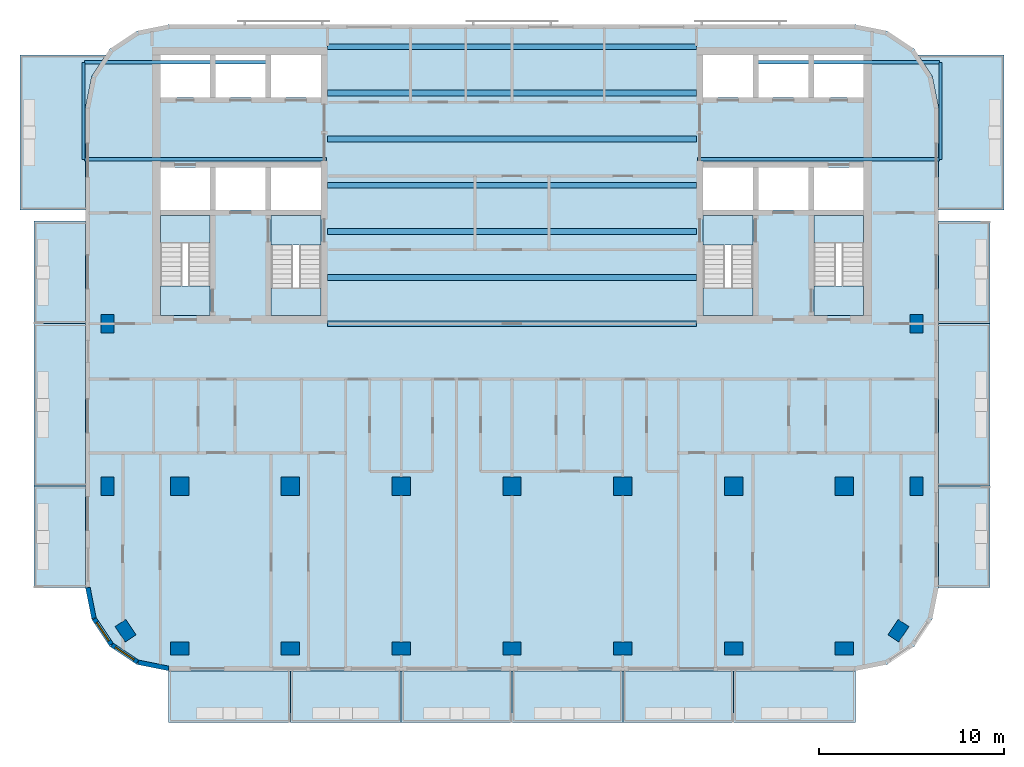
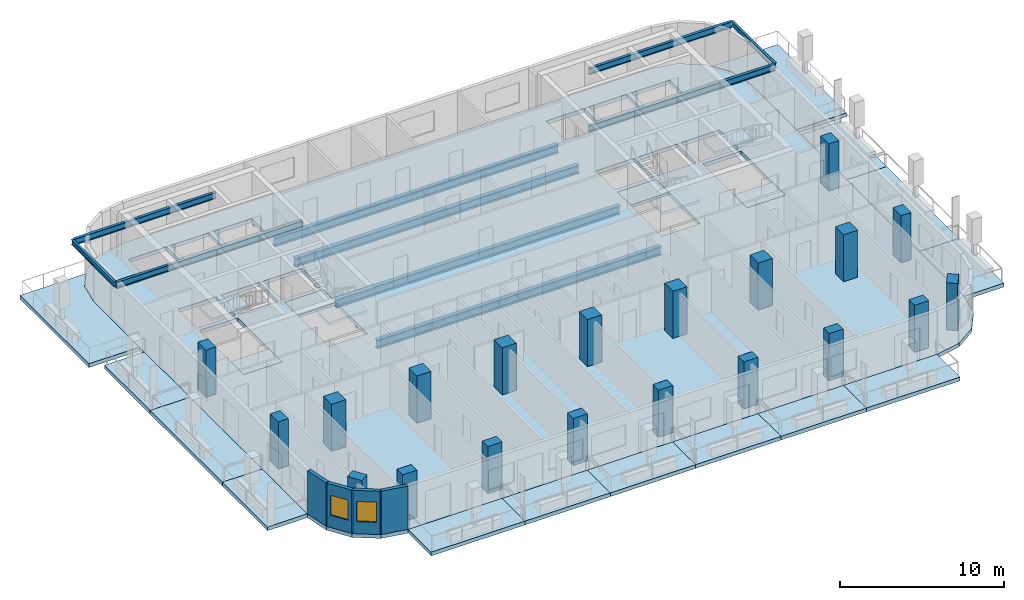
# One storey, part 1 of 11: 23 slabs, 20 columns, 13 beams, 4 walls, 2 windows, 2 openings, 4 elements without a shape of their own.
"""IFC4 building model written with IfcOpenShell, lengths in metres."""

from ifc_helpers import new_model, si_unit, direction, frame, frame_2d, origin, origin_2d, place, context, subcontext, project, spatial, polyline, rectangle, i_section, outline, extrude, material, layer, layer_set, material_profile, profile_set, type_object, element, fill, aggregate, save


model = new_model("IFC4")

# Units and contexts
model_context = context("Model", 3, precision=1e-05, world=origin(), true_north=direction((0.0, 1.0)))
body_context = subcontext(model_context, "Body", "Model", "MODEL_VIEW")
ifc_project = project(units=[si_unit("LENGTHUNIT", "METRE"), si_unit("AREAUNIT", "SQUARE_METRE"), si_unit("VOLUMEUNIT", "CUBIC_METRE"), si_unit("PLANEANGLEUNIT", "RADIAN"), si_unit("MASSUNIT", "GRAM", prefix="KILO")], contexts=[model_context])

# Site, building, storey
site_placement = place(None, origin())
site = spatial("IfcSite", under=ifc_project, at=site_placement, CompositionType="ELEMENT")
building_placement = place(site_placement, origin())
building = spatial("IfcBuilding", under=site, at=building_placement, Name="Torana Hotel and Residences", CompositionType="ELEMENT")
storey_placement = place(building_placement, frame((0.0, 0.0, 263.10009765625)))
storey = spatial("IfcBuildingStorey", under=building, at=storey_placement, Name="L69", CompositionType="ELEMENT", Elevation=263.10009765625)

# Columns
ifc_material_1 = material(Name="Concrete C50/60", Category="concrete")
ifc_material_profile_1 = material_profile(ifc_material_1, rectangle(XDim=1.0, YDim=1.0, at=origin_2d()), Name="RC 1000x1000")
ifc_profile_set_1 = profile_set([ifc_material_profile_1], Name="Concrete C50/60")
column_type_1 = type_object("IfcColumnType", Name="COLUMN RC 1000x1000 C50/60", PredefinedType="COLUMN", material=ifc_profile_set_1)
for number, where, z_axis, x_axis, name in (
    (1, (-18.0, -23.800048828125, 0.0), (0.0, 0.0, 1.0), (1.0, 0.0, 0.0), "Column L69"),
    (2, (-12.0, -23.800048828125, 0.0), (0.0, 0.0, 1.0), (1.0, 0.0, 0.0), "Column L69"),
    (3, (-6.0, -23.800048828125, 0.0), (0.0, 0.0, 1.0), (1.0, 0.0, 0.0), "Column L69"),
    (4, (0.0, -23.800048828125, 0.0), (0.0, 0.0, 1.0), (1.0, 0.0, 0.0), "Column L69"),
    (5, (6.0, -23.800048828125, 0.0), (0.0, 0.0, 1.0), (1.0, 0.0, 0.0), "Column L69"),
    (6, (12.0, -23.800048828125, 0.0), (0.0, 0.0, 1.0), (1.0, 0.0, 0.0), "Column L69"),
    (7, (18.0, -23.800048828125, 0.0), (0.0, 0.0, 1.0), (1.0, 0.0, 0.0), "Column L69"),
):
    element("IfcColumn", number, at=place(storey_placement, frame(where, z_axis=z_axis, x_axis=x_axis)), inside=storey, type_object=column_type_1, Name=name, PredefinedType="COLUMN", context=body_context, shape_type="SweptSolid", body=[
        extrude(rectangle(XDim=1.0, YDim=1.0, at=origin_2d()), origin(), (0.0, 0.0, 1.0), 3.5),
    ])
ifc_material_2 = material(Name="Concrete C50/60", Category="concrete")
ifc_material_profile_2 = material_profile(ifc_material_2, rectangle(XDim=1.0, YDim=0.699951171875, at=origin_2d()), Name="RC 1000x700")
ifc_profile_set_2 = profile_set([ifc_material_profile_2], Name="Concrete C50/60")
column_type_2 = type_object("IfcColumnType", Name="COLUMN RC 1000x700 C50/60", PredefinedType="COLUMN", material=ifc_profile_set_2)
for number, where, z_axis, x_axis, name in (
    (8, (-21.89990234375, -23.800048828125, 0.0), (0.0, 0.0, 1.0), (0.0, 1.0, 0.0), "Column L69"),
    (9, (-21.89990234375, -15.0, 0.0), (0.0, 0.0, 1.0), (0.0, 1.0, 0.0), "Column L69"),
    (10, (-20.93310546875, -31.633056640625, 0.0), (0.0, 0.0, 1.0), (-0.555584744817, 0.831459915646, 0.0), "Column L69"),
    (11, (-18.0, -32.60009765625, 0.0), (0.0, 0.0, 1.0), (1.0, 0.0, 0.0), "Column L69"),
    (12, (-12.0, -32.60009765625, 0.0), (0.0, 0.0, 1.0), (1.0, 0.0, 0.0), "Column L69"),
    (13, (-6.0, -32.60009765625, 0.0), (0.0, 0.0, 1.0), (1.0, 0.0, 0.0), "Column L69"),
    (14, (0.0, -32.60009765625, 0.0), (0.0, 0.0, 1.0), (1.0, 0.0, 0.0), "Column L69"),
    (15, (6.0, -32.60009765625, 0.0), (0.0, 0.0, 1.0), (1.0, 0.0, 0.0), "Column L69"),
    (16, (12.0, -32.60009765625, 0.0), (0.0, 0.0, 1.0), (1.0, 0.0, 0.0), "Column L69"),
    (17, (18.0, -32.60009765625, 0.0), (0.0, 0.0, 1.0), (1.0, 0.0, 0.0), "Column L69"),
    (18, (20.93310546875, -31.633056640625, 0.0), (0.0, 0.0, 1.0), (0.555584744817, 0.831459915646, 0.0), "Column L69"),
    (19, (21.89990234375, -23.800048828125, 0.0), (0.0, 0.0, 1.0), (0.0, 1.0, 0.0), "Column L69"),
    (20, (21.89990234375, -15.0, 0.0), (0.0, 0.0, 1.0), (0.0, 1.0, 0.0), "Column L69"),
):
    element("IfcColumn", number, at=place(storey_placement, frame(where, z_axis=z_axis, x_axis=x_axis)), inside=storey, type_object=column_type_2, Name=name, PredefinedType="COLUMN", context=body_context, shape_type="SweptSolid", body=[
        extrude(rectangle(XDim=1.0, YDim=0.699951171875, at=origin_2d()), origin(), (0.0, 0.0, 1.0), 3.5),
    ])

# Beams
ifc_material_3 = material(Name="Steel S355", Category="steel")
ifc_material_profile_3 = material_profile(ifc_material_3, i_section(OverallWidth=0.19287109375, OverallDepth=0.46728515625, WebThickness=0.011474609375, FlangeThickness=0.01953125, FilletRadius=0.01025390625, at=origin_2d()), Name="457x191x98 UB")
ifc_profile_set_3 = profile_set([ifc_material_profile_3], Name="Steel S355")
beam_type_1 = type_object("IfcBeamType", Name="BALCONY CANTILEVER BEAM 457x191x98 UB", PredefinedType="BEAM", material=ifc_profile_set_3)
beam_1_placement = place(storey_placement, frame((-23.1484375, -6.10009765625, 2.986328125), z_axis=(1.0, 0.0, 0.0), x_axis=(0.0, 1.0, 0.0)))
element("IfcBeam", 21, at=beam_1_placement, inside=storey, type_object=beam_type_1, Name="Balcony cantilever beam", PredefinedType="BEAM", context=body_context, shape_type="SweptSolid", body=[
    extrude(i_section(OverallWidth=0.19287109375, OverallDepth=0.46728515625, WebThickness=0.011474609375, FlangeThickness=0.01953125, FilletRadius=0.01025390625, at=origin_2d()), origin(), (0.0, 0.0, 1.0), 13.098388671875),
])
beam_2_placement = place(storey_placement, frame((-23.1484375, -0.85009765625, 2.986328125), z_axis=(1.0, 0.0, 0.0), x_axis=(0.0, 1.0, 0.0)))
element("IfcBeam", 22, at=beam_2_placement, inside=storey, type_object=beam_type_1, Name="Balcony cantilever beam", PredefinedType="BEAM", context=body_context, shape_type="SweptSolid", body=[
    extrude(i_section(OverallWidth=0.19287109375, OverallDepth=0.46728515625, WebThickness=0.011474609375, FlangeThickness=0.01953125, FilletRadius=0.01025390625, at=origin_2d()), origin(), (0.0, 0.0, 1.0), 10.04833984375),
])
beam_3_placement = place(storey_placement, frame((23.1484375, -6.10009765625, 2.986328125), z_axis=(-1.0, 0.0, 0.0), x_axis=(0.0, -1.0, 0.0)))
element("IfcBeam", 23, at=beam_3_placement, inside=storey, type_object=beam_type_1, Name="Balcony cantilever beam", PredefinedType="BEAM", context=body_context, shape_type="SweptSolid", body=[
    extrude(i_section(OverallWidth=0.19287109375, OverallDepth=0.46728515625, WebThickness=0.011474609375, FlangeThickness=0.01953125, FilletRadius=0.01025390625, at=origin_2d()), origin(), (0.0, 0.0, 1.0), 13.098388671875),
])
beam_4_placement = place(storey_placement, frame((23.1484375, -0.85009765625, 2.986328125), z_axis=(-1.0, 0.0, 0.0), x_axis=(0.0, -1.0, 0.0)))
element("IfcBeam", 24, at=beam_4_placement, inside=storey, type_object=beam_type_1, Name="Balcony cantilever beam", PredefinedType="BEAM", context=body_context, shape_type="SweptSolid", body=[
    extrude(i_section(OverallWidth=0.19287109375, OverallDepth=0.46728515625, WebThickness=0.011474609375, FlangeThickness=0.01953125, FilletRadius=0.01025390625, at=origin_2d()), origin(), (0.0, 0.0, 1.0), 10.04833984375),
])
ifc_material_4 = material(Name="Steel S355", Category="steel")
ifc_material_profile_4 = material_profile(ifc_material_4, i_section(OverallWidth=0.173095703125, OverallDepth=0.36328125, WebThickness=0.009033203125, FlangeThickness=0.015625, FilletRadius=0.01025390625, at=origin_2d()), Name="356x171x67 UB")
ifc_profile_set_4 = profile_set([ifc_material_profile_4], Name="Steel S355")
beam_type_2 = type_object("IfcBeamType", Name="BALCONY TIP BEAM 356x171x67 UB", PredefinedType="BEAM", material=ifc_profile_set_4)
for number, where, z_axis, x_axis, name in (
    (25, (-23.205078125, -6.10009765625, 3.0380859375), (0.0, 1.0, 0.0), (-1.0, 0.0, 0.0), "Balcony tip beam"),
    (26, (23.205078125, -6.10009765625, 3.0380859375), (0.0, 1.0, 0.0), (-1.0, 0.0, 0.0), "Balcony tip beam"),
):
    element("IfcBeam", number, at=place(storey_placement, frame(where, z_axis=z_axis, x_axis=x_axis)), inside=storey, type_object=beam_type_2, Name=name, PredefinedType="BEAM", context=body_context, shape_type="SweptSolid", body=[
        extrude(i_section(OverallWidth=0.173095703125, OverallDepth=0.36328125, WebThickness=0.009033203125, FlangeThickness=0.015625, FilletRadius=0.01025390625, at=origin_2d()), origin(), (0.0, 0.0, 1.0), 5.25),
    ])
ifc_material_5 = material(Name="Steel S355", Category="steel")
ifc_material_profile_5 = material_profile(ifc_material_5, i_section(OverallWidth=0.311279296875, OverallDepth=0.6357421875, WebThickness=0.018310546875, FlangeThickness=0.031494140625, FilletRadius=0.0166015625, at=origin_2d()), Name="610x305x238 UB")
ifc_profile_set_5 = profile_set([ifc_material_profile_5], Name="Steel S355")
beam_type_3 = type_object("IfcBeamType", Name="STEEL GIRDER 610x305x238 UB", PredefinedType="BEAM", material=ifc_profile_set_5)
for number, where, z_axis, x_axis, name in (
    (27, (-10.0, -15.0, -0.597900390625), (1.0, 0.0, 0.0), (0.0, 1.0, 0.0), "Floor girder"),
    (28, (-10.0, -12.5, -0.597900390625), (1.0, 0.0, 0.0), (0.0, 1.0, 0.0), "Floor girder"),
    (29, (-10.0, -10.0, -0.597900390625), (1.0, 0.0, 0.0), (0.0, 1.0, 0.0), "Floor girder"),
    (30, (-10.0, -7.5, -0.597900390625), (1.0, 0.0, 0.0), (0.0, 1.0, 0.0), "Floor girder"),
    (31, (-10.0, -5.0, -0.597900390625), (1.0, 0.0, 0.0), (0.0, 1.0, 0.0), "Floor girder"),
    (32, (-10.0, -2.5, -0.597900390625), (1.0, 0.0, 0.0), (0.0, 1.0, 0.0), "Floor girder"),
    (33, (-10.0, 0.0, -0.597900390625), (1.0, 0.0, 0.0), (0.0, 1.0, 0.0), "Floor girder"),
):
    element("IfcBeam", number, at=place(storey_placement, frame(where, z_axis=z_axis, x_axis=x_axis)), inside=storey, type_object=beam_type_3, Name=name, PredefinedType="BEAM", context=body_context, shape_type="SweptSolid", body=[
        extrude(i_section(OverallWidth=0.311279296875, OverallDepth=0.6357421875, WebThickness=0.018310546875, FlangeThickness=0.031494140625, FilletRadius=0.0166015625, at=origin_2d()), origin(), (0.0, 0.0, 1.0), 20.0),
    ])

# Slabs
ifc_material_6 = material(Name="Concrete C40/50", Category="concrete")
ifc_layer_1 = layer(ifc_material_6, 0.280029296875)
ifc_layer_set_1 = layer_set([ifc_layer_1], Name="BAL1 BALCONY SLAB 280")
slab_type_1 = type_object("IfcSlabType", Name="BAL1 BALCONY SLAB 280", PredefinedType="USERDEFINED", material=ifc_layer_set_1)
slab_1_placement = place(storey_placement, frame((0.0, 0.0, -0.280029296875)))
element("IfcSlab", 34, at=slab_1_placement, inside=storey, type_object=slab_type_1, Name="Balcony 01", ObjectType="BALCONY", PredefinedType="USERDEFINED", context=body_context, shape_type="SweptSolid", body=[
    extrude(outline(polyline([(-18.60009765625, -36.60009765625), (-12.0, -36.60009765625), (-12.0, -33.800048828125), (-18.60009765625, -33.800048828125), (-18.60009765625, -36.60009765625)])), origin(), (0.0, 0.0, 1.0), 0.280029296875),
])
slab_2_placement = place(storey_placement, frame((0.0, 0.0, -0.280029296875)))
element("IfcSlab", 35, at=slab_2_placement, inside=storey, type_object=slab_type_1, Name="Balcony 02", ObjectType="BALCONY", PredefinedType="USERDEFINED", context=body_context, shape_type="SweptSolid", body=[
    extrude(outline(polyline([(-12.0, -36.60009765625), (-6.0, -36.60009765625), (-6.0, -33.800048828125), (-12.0, -33.800048828125), (-12.0, -36.60009765625)])), origin(), (0.0, 0.0, 1.0), 0.280029296875),
])
slab_3_placement = place(storey_placement, frame((0.0, 0.0, -0.280029296875)))
element("IfcSlab", 36, at=slab_3_placement, inside=storey, type_object=slab_type_1, Name="Balcony 03", ObjectType="BALCONY", PredefinedType="USERDEFINED", context=body_context, shape_type="SweptSolid", body=[
    extrude(outline(polyline([(-6.0, -36.60009765625), (0.0, -36.60009765625), (0.0, -33.800048828125), (-6.0, -33.800048828125), (-6.0, -36.60009765625)])), origin(), (0.0, 0.0, 1.0), 0.280029296875),
])
slab_4_placement = place(storey_placement, frame((0.0, 0.0, -0.280029296875)))
element("IfcSlab", 37, at=slab_4_placement, inside=storey, type_object=slab_type_1, Name="Balcony 04", ObjectType="BALCONY", PredefinedType="USERDEFINED", context=body_context, shape_type="SweptSolid", body=[
    extrude(outline(polyline([(0.0, -36.60009765625), (6.0, -36.60009765625), (6.0, -33.800048828125), (0.0, -33.800048828125), (0.0, -36.60009765625)])), origin(), (0.0, 0.0, 1.0), 0.280029296875),
])
slab_5_placement = place(storey_placement, frame((0.0, 0.0, -0.280029296875)))
element("IfcSlab", 38, at=slab_5_placement, inside=storey, type_object=slab_type_1, Name="Balcony 05", ObjectType="BALCONY", PredefinedType="USERDEFINED", context=body_context, shape_type="SweptSolid", body=[
    extrude(outline(polyline([(6.0, -36.60009765625), (12.0, -36.60009765625), (12.0, -33.800048828125), (6.0, -33.800048828125), (6.0, -36.60009765625)])), origin(), (0.0, 0.0, 1.0), 0.280029296875),
])
slab_6_placement = place(storey_placement, frame((0.0, 0.0, -0.280029296875)))
element("IfcSlab", 39, at=slab_6_placement, inside=storey, type_object=slab_type_1, Name="Balcony 06", ObjectType="BALCONY", PredefinedType="USERDEFINED", context=body_context, shape_type="SweptSolid", body=[
    extrude(outline(polyline([(12.0, -36.60009765625), (18.60009765625, -36.60009765625), (18.60009765625, -33.800048828125), (12.0, -33.800048828125), (12.0, -36.60009765625)])), origin(), (0.0, 0.0, 1.0), 0.280029296875),
])
slab_7_placement = place(storey_placement, frame((0.0, 0.0, -0.280029296875)))
element("IfcSlab", 40, at=slab_7_placement, inside=storey, type_object=slab_type_1, Name="Balcony 07", ObjectType="BALCONY", PredefinedType="USERDEFINED", context=body_context, shape_type="SweptSolid", body=[
    extrude(outline(polyline([(-25.89990234375, -29.300048828125), (-23.10009765625, -29.300048828125), (-23.10009765625, -23.800048828125), (-25.89990234375, -23.800048828125), (-25.89990234375, -29.300048828125)])), origin(), (0.0, 0.0, 1.0), 0.280029296875),
])
slab_8_placement = place(storey_placement, frame((0.0, 0.0, -0.280029296875)))
element("IfcSlab", 41, at=slab_8_placement, inside=storey, type_object=slab_type_1, Name="Balcony 08", ObjectType="BALCONY", PredefinedType="USERDEFINED", context=body_context, shape_type="SweptSolid", body=[
    extrude(outline(polyline([(-25.89990234375, -23.800048828125), (-23.10009765625, -23.800048828125), (-23.10009765625, -15.0), (-25.89990234375, -15.0), (-25.89990234375, -23.800048828125)])), origin(), (0.0, 0.0, 1.0), 0.280029296875),
])
slab_9_placement = place(storey_placement, frame((0.0, 0.0, -0.280029296875)))
element("IfcSlab", 42, at=slab_9_placement, inside=storey, type_object=slab_type_1, Name="Balcony 09", ObjectType="BALCONY", PredefinedType="USERDEFINED", context=body_context, shape_type="SweptSolid", body=[
    extrude(outline(polyline([(-25.89990234375, -15.0), (-23.10009765625, -15.0), (-23.10009765625, -9.449951171875), (-25.89990234375, -9.449951171875), (-25.89990234375, -15.0)])), origin(), (0.0, 0.0, 1.0), 0.280029296875),
])
slab_10_placement = place(storey_placement, frame((0.0, 0.0, -0.280029296875)))
element("IfcSlab", 43, at=slab_10_placement, inside=storey, type_object=slab_type_1, Name="Balcony 10", ObjectType="BALCONY", PredefinedType="USERDEFINED", context=body_context, shape_type="SweptSolid", body=[
    extrude(outline(polyline([(-26.64990234375, -8.85009765625), (-23.10009765625, -8.85009765625), (-23.10009765625, -3.300048828125), (-22.757568359375, -1.577880859375), (-22.00390625, -0.449951171875), (-26.64990234375, -0.449951171875), (-26.64990234375, -8.85009765625)])), origin(), (0.0, 0.0, 1.0), 0.280029296875),
])
slab_11_placement = place(storey_placement, frame((0.0, 0.0, -0.280029296875)))
element("IfcSlab", 44, at=slab_11_placement, inside=storey, type_object=slab_type_1, Name="Balcony 11", ObjectType="BALCONY", PredefinedType="USERDEFINED", context=body_context, shape_type="SweptSolid", body=[
    extrude(outline(polyline([(23.10009765625, -29.300048828125), (25.89990234375, -29.300048828125), (25.89990234375, -23.800048828125), (23.10009765625, -23.800048828125), (23.10009765625, -29.300048828125)])), origin(), (0.0, 0.0, 1.0), 0.280029296875),
])
slab_12_placement = place(storey_placement, frame((0.0, 0.0, -0.280029296875)))
element("IfcSlab", 45, at=slab_12_placement, inside=storey, type_object=slab_type_1, Name="Balcony 12", ObjectType="BALCONY", PredefinedType="USERDEFINED", context=body_context, shape_type="SweptSolid", body=[
    extrude(outline(polyline([(23.10009765625, -23.800048828125), (25.89990234375, -23.800048828125), (25.89990234375, -15.0), (23.10009765625, -15.0), (23.10009765625, -23.800048828125)])), origin(), (0.0, 0.0, 1.0), 0.280029296875),
])
slab_13_placement = place(storey_placement, frame((0.0, 0.0, -0.280029296875)))
element("IfcSlab", 46, at=slab_13_placement, inside=storey, type_object=slab_type_1, Name="Balcony 13", ObjectType="BALCONY", PredefinedType="USERDEFINED", context=body_context, shape_type="SweptSolid", body=[
    extrude(outline(polyline([(23.10009765625, -15.0), (25.89990234375, -15.0), (25.89990234375, -9.449951171875), (23.10009765625, -9.449951171875), (23.10009765625, -15.0)])), origin(), (0.0, 0.0, 1.0), 0.280029296875),
])
slab_14_placement = place(storey_placement, frame((0.0, 0.0, -0.280029296875)))
element("IfcSlab", 47, at=slab_14_placement, inside=storey, type_object=slab_type_1, Name="Balcony 14", ObjectType="BALCONY", PredefinedType="USERDEFINED", context=body_context, shape_type="SweptSolid", body=[
    extrude(outline(polyline([(23.10009765625, -8.85009765625), (26.64990234375, -8.85009765625), (26.64990234375, -0.449951171875), (22.00390625, -0.449951171875), (22.757568359375, -1.577880859375), (23.10009765625, -3.300048828125), (23.10009765625, -8.85009765625)])), origin(), (0.0, 0.0, 1.0), 0.280029296875),
])
ifc_material_7 = material(Name="Concrete C40/50", Category="concrete")
ifc_layer_2 = layer(ifc_material_7, 0.280029296875)
ifc_layer_set_2 = layer_set([ifc_layer_2], Name="FLOOR SLAB PT 280")
slab_type_2 = type_object("IfcSlabType", Name="FLOOR SLAB PT 280", PredefinedType="FLOOR", material=ifc_layer_set_2)
slab_15_placement = place(storey_placement, frame((0.0, 0.0, -0.280029296875)))
element("IfcSlab", 48, at=slab_15_placement, inside=storey, type_object=slab_type_2, Name="Floor slab", PredefinedType="FLOOR", context=body_context, shape_type="SweptSolid", body=[
    extrude(outline(polyline([(23.10009765625, -3.300048828125), (22.757568359375, -1.577880859375), (21.781982421875, -0.117919921875), (20.322021484375, 0.857421875), (18.60009765625, 1.199951171875), (-18.60009765625, 1.199951171875), (-20.322021484375, 0.857421875), (-21.781982421875, -0.117919921875), (-22.757568359375, -1.577880859375), (-23.10009765625, -3.300048828125), (-23.10009765625, -29.300048828125), (-22.757568359375, -31.022216796875), (-21.781982421875, -32.48193359375), (-20.322021484375, -33.45751953125), (-18.60009765625, -33.800048828125), (18.60009765625, -33.800048828125), (20.322021484375, -33.45751953125), (21.781982421875, -32.48193359375), (22.757568359375, -31.022216796875), (23.10009765625, -29.300048828125), (23.10009765625, -3.300048828125)]), holes=[polyline([(-13.050048828125, -14.550048828125), (-10.35009765625, -14.550048828125), (-10.35009765625, -9.14990234375), (-13.050048828125, -9.14990234375), (-13.050048828125, -14.550048828125)]), polyline([(-19.050048828125, -14.550048828125), (-16.35009765625, -14.550048828125), (-16.35009765625, -9.14990234375), (-19.050048828125, -9.14990234375), (-19.050048828125, -14.550048828125)]), polyline([(-19.050048828125, -2.75), (-16.35009765625, -2.75), (-16.35009765625, -0.449951171875), (-19.050048828125, -0.449951171875), (-19.050048828125, -2.75)]), polyline([(-13.050048828125, -2.75), (-10.35009765625, -2.75), (-10.35009765625, -0.449951171875), (-13.050048828125, -0.449951171875), (-13.050048828125, -2.75)]), polyline([(-16.050048828125, -2.75), (-13.35009765625, -2.75), (-13.35009765625, -0.449951171875), (-16.050048828125, -0.449951171875), (-16.050048828125, -2.75)]), polyline([(-13.050048828125, -8.85009765625), (-10.35009765625, -8.85009765625), (-10.35009765625, -6.550048828125), (-13.050048828125, -6.550048828125), (-13.050048828125, -8.85009765625)]), polyline([(-16.050048828125, -8.85009765625), (-13.35009765625, -8.85009765625), (-13.35009765625, -6.550048828125), (-16.050048828125, -6.550048828125), (-16.050048828125, -8.85009765625)]), polyline([(-19.050048828125, -8.85009765625), (-16.35009765625, -8.85009765625), (-16.35009765625, -6.550048828125), (-19.050048828125, -6.550048828125), (-19.050048828125, -8.85009765625)]), polyline([(10.35009765625, -14.550048828125), (13.050048828125, -14.550048828125), (13.050048828125, -9.14990234375), (10.35009765625, -9.14990234375), (10.35009765625, -14.550048828125)]), polyline([(16.35009765625, -14.550048828125), (19.050048828125, -14.550048828125), (19.050048828125, -9.14990234375), (16.35009765625, -9.14990234375), (16.35009765625, -14.550048828125)]), polyline([(16.35009765625, -2.75), (19.050048828125, -2.75), (19.050048828125, -0.449951171875), (16.35009765625, -0.449951171875), (16.35009765625, -2.75)]), polyline([(10.35009765625, -2.75), (13.050048828125, -2.75), (13.050048828125, -0.449951171875), (10.35009765625, -0.449951171875), (10.35009765625, -2.75)]), polyline([(13.35009765625, -2.75), (16.050048828125, -2.75), (16.050048828125, -0.449951171875), (13.35009765625, -0.449951171875), (13.35009765625, -2.75)]), polyline([(10.35009765625, -8.85009765625), (13.050048828125, -8.85009765625), (13.050048828125, -6.550048828125), (10.35009765625, -6.550048828125), (10.35009765625, -8.85009765625)]), polyline([(13.35009765625, -8.85009765625), (16.050048828125, -8.85009765625), (16.050048828125, -6.550048828125), (13.35009765625, -6.550048828125), (13.35009765625, -8.85009765625)]), polyline([(16.35009765625, -8.85009765625), (19.050048828125, -8.85009765625), (19.050048828125, -6.550048828125), (16.35009765625, -6.550048828125), (16.35009765625, -8.85009765625)])]), origin(), (0.0, 0.0, 1.0), 0.280029296875),
])

# Stair, slabs
ifc_material_8 = material(Name="Concrete C40/50 precast", Category="concrete")
stair_type_1 = type_object("IfcStairType", Name="STAIR ST1 HALF TURN 1200", PredefinedType="HALF_TURN_STAIR", material=ifc_material_8)
stair_1_placement = place(storey_placement, origin())
stair_1 = element("IfcStair", 49, at=stair_1_placement, inside=storey, type_object=stair_type_1, Name="Stair ST1 L69", PredefinedType="HALF_TURN_STAIR")
ifc_material_9 = material(Name="Concrete C40/50 precast", Category="concrete")
ifc_layer_3 = layer(ifc_material_9, 0.199951171875)
ifc_layer_set_3 = layer_set([ifc_layer_3], Name="STAIR LANDING 200")
slab_type_3 = type_object("IfcSlabType", Name="STAIR LANDING 200", PredefinedType="LANDING", material=ifc_layer_set_3)
slab_16_placement = place(storey_placement, frame((0.0, 0.0, 1.5498046875)))
slab_16 = element("IfcSlab", 50, at=slab_16_placement, type_object=slab_type_3, Name="ST1 landing 1", PredefinedType="LANDING", context=body_context, shape_type="SweptSolid", body=[
    extrude(outline(polyline([(-13.050048828125, -14.550048828125), (-10.35009765625, -14.550048828125), (-10.35009765625, -13.090087890625), (-13.050048828125, -13.090087890625), (-13.050048828125, -14.550048828125)])), origin(), (0.0, 0.0, 1.0), 0.2001953125),
])
slab_17_placement = place(storey_placement, frame((0.0, 0.0, -0.2001953125)))
slab_17 = element("IfcSlab", 51, at=slab_17_placement, type_object=slab_type_3, Name="ST1 landing 2", PredefinedType="LANDING", context=body_context, shape_type="SweptSolid", body=[
    extrude(outline(polyline([(-13.050048828125, -10.75), (-10.35009765625, -10.75), (-10.35009765625, -9.14990234375), (-13.050048828125, -9.14990234375), (-13.050048828125, -10.75)])), origin(), (0.0, 0.0, 1.0), 0.2001953125),
])
aggregate(stair_1, [slab_16, slab_17])

ifc_material_10 = material(Name="Concrete C40/50 precast", Category="concrete")
stair_type_2 = type_object("IfcStairType", Name="STAIR ST2 HALF TURN 1200", PredefinedType="HALF_TURN_STAIR", material=ifc_material_10)
stair_2_placement = place(storey_placement, origin())
stair_2 = element("IfcStair", 52, at=stair_2_placement, inside=storey, type_object=stair_type_2, Name="Stair ST2 L69", PredefinedType="HALF_TURN_STAIR")
slab_18_placement = place(storey_placement, frame((0.0, 0.0, 1.5498046875)))
slab_18 = element("IfcSlab", 53, at=slab_18_placement, type_object=slab_type_3, Name="ST2 landing 1", PredefinedType="LANDING", context=body_context, shape_type="SweptSolid", body=[
    extrude(outline(polyline([(-19.050048828125, -10.610107421875), (-16.35009765625, -10.610107421875), (-16.35009765625, -9.14990234375), (-19.050048828125, -9.14990234375), (-19.050048828125, -10.610107421875)])), origin(), (0.0, 0.0, 1.0), 0.2001953125),
])
slab_19_placement = place(storey_placement, frame((0.0, 0.0, -0.2001953125)))
slab_19 = element("IfcSlab", 54, at=slab_19_placement, type_object=slab_type_3, Name="ST2 landing 2", PredefinedType="LANDING", context=body_context, shape_type="SweptSolid", body=[
    extrude(outline(polyline([(-19.050048828125, -14.550048828125), (-16.35009765625, -14.550048828125), (-16.35009765625, -12.949951171875), (-19.050048828125, -12.949951171875), (-19.050048828125, -14.550048828125)])), origin(), (0.0, 0.0, 1.0), 0.2001953125),
])
aggregate(stair_2, [slab_18, slab_19])

ifc_material_11 = material(Name="Concrete C40/50 precast", Category="concrete")
stair_type_3 = type_object("IfcStairType", Name="STAIR ST3 HALF TURN 1200", PredefinedType="HALF_TURN_STAIR", material=ifc_material_11)
stair_3_placement = place(storey_placement, origin())
stair_3 = element("IfcStair", 55, at=stair_3_placement, inside=storey, type_object=stair_type_3, Name="Stair ST3 L69", PredefinedType="HALF_TURN_STAIR")
slab_20_placement = place(storey_placement, frame((0.0, 0.0, 1.5498046875)))
slab_20 = element("IfcSlab", 56, at=slab_20_placement, type_object=slab_type_3, Name="ST3 landing 1", PredefinedType="LANDING", context=body_context, shape_type="SweptSolid", body=[
    extrude(outline(polyline([(10.35009765625, -14.550048828125), (13.050048828125, -14.550048828125), (13.050048828125, -13.090087890625), (10.35009765625, -13.090087890625), (10.35009765625, -14.550048828125)])), origin(), (0.0, 0.0, 1.0), 0.2001953125),
])
slab_21_placement = place(storey_placement, frame((0.0, 0.0, -0.2001953125)))
slab_21 = element("IfcSlab", 57, at=slab_21_placement, type_object=slab_type_3, Name="ST3 landing 2", PredefinedType="LANDING", context=body_context, shape_type="SweptSolid", body=[
    extrude(outline(polyline([(10.35009765625, -10.75), (13.050048828125, -10.75), (13.050048828125, -9.14990234375), (10.35009765625, -9.14990234375), (10.35009765625, -10.75)])), origin(), (0.0, 0.0, 1.0), 0.2001953125),
])
aggregate(stair_3, [slab_20, slab_21])

ifc_material_12 = material(Name="Concrete C40/50 precast", Category="concrete")
stair_type_4 = type_object("IfcStairType", Name="STAIR ST4 HALF TURN 1200", PredefinedType="HALF_TURN_STAIR", material=ifc_material_12)
stair_4_placement = place(storey_placement, origin())
stair_4 = element("IfcStair", 58, at=stair_4_placement, inside=storey, type_object=stair_type_4, Name="Stair ST4 L69", PredefinedType="HALF_TURN_STAIR")
slab_22_placement = place(storey_placement, frame((0.0, 0.0, 1.5498046875)))
slab_22 = element("IfcSlab", 59, at=slab_22_placement, type_object=slab_type_3, Name="ST4 landing 1", PredefinedType="LANDING", context=body_context, shape_type="SweptSolid", body=[
    extrude(outline(polyline([(16.35009765625, -10.610107421875), (19.050048828125, -10.610107421875), (19.050048828125, -9.14990234375), (16.35009765625, -9.14990234375), (16.35009765625, -10.610107421875)])), origin(), (0.0, 0.0, 1.0), 0.2001953125),
])
slab_23_placement = place(storey_placement, frame((0.0, 0.0, -0.2001953125)))
slab_23 = element("IfcSlab", 60, at=slab_23_placement, type_object=slab_type_3, Name="ST4 landing 2", PredefinedType="LANDING", context=body_context, shape_type="SweptSolid", body=[
    extrude(outline(polyline([(16.35009765625, -14.550048828125), (19.050048828125, -14.550048828125), (19.050048828125, -12.949951171875), (16.35009765625, -12.949951171875), (16.35009765625, -14.550048828125)])), origin(), (0.0, 0.0, 1.0), 0.2001953125),
])
aggregate(stair_4, [slab_22, slab_23])

# Wall
ifc_material_13 = material(Name="Black aluminium composite panel", Category="aluminium")
ifc_layer_4 = layer(ifc_material_13, 0.00390625, Name="Cladding", Category="cladding")
ifc_material_14 = material(Name="Ventilated air cavity")
ifc_layer_5 = layer(ifc_material_14, 0.0400390625, Name="Ventilated cavity", Category="cavity")
ifc_material_15 = material(Name="Mineral wool insulation")
ifc_layer_6 = layer(ifc_material_15, 0.090087890625, Name="Insulation", Category="insulation")
ifc_material_16 = material(Name="Steel S280GD", Category="steel")
ifc_layer_7 = layer(ifc_material_16, 0.092041015625, Name="Steel stud frame", Category="structure")
ifc_material_17 = material(Name="Fire rated plasterboard")
ifc_layer_8 = layer(ifc_material_17, 0.011962890625, Name="Inner board", Category="finish")
ifc_layer_9 = layer(ifc_material_17, 0.011962890625, Name="Second board", Category="finish")
ifc_layer_set_4 = layer_set([ifc_layer_4, ifc_layer_5, ifc_layer_6, ifc_layer_7, ifc_layer_8, ifc_layer_9], Name="EW1 EXTERNAL WALL BLACK METAL CLAD 250")
wall_type = type_object("IfcWallType", Name="EW1 EXTERNAL WALL BLACK METAL CLAD 250", PredefinedType="SOLIDWALL", material=ifc_layer_set_4)
wall_1_placement = place(storey_placement, frame((-22.97265625, -29.2998046875, 0.0), z_axis=(0.0, 0.0, 1.0), x_axis=(0.19513878023, -0.980775640221, 0.0)))
element("IfcWall", 61, at=wall_1_placement, inside=storey, type_object=wall_type, Name="External wall L69 e0.10", PredefinedType="SOLIDWALL", context=body_context, shape_type="SweptSolid", body=[
    extrude(rectangle(XDim=1.681396484375, YDim=0.25, at=frame_2d((0.8408203125, 0.0))), origin(), (0.0, 0.0, 1.0), 3.219970703125),
])

# Wall, opening, window
wall_2_placement = place(storey_placement, frame((-22.6259765625, -30.993896484375, 0.0), z_axis=(0.0, 0.0, 1.0), x_axis=(0.55555029066, -0.831482937015, 0.0)))
wall_2 = element("IfcWall", 62, at=wall_2_placement, inside=storey, type_object=wall_type, Name="External wall L69 e0.11", PredefinedType="SOLIDWALL", context=body_context, shape_type="SweptSolid", body=[
    extrude(rectangle(XDim=1.65625, YDim=0.25, at=frame_2d((0.828125, 0.0))), origin(), (0.0, 0.0, 1.0), 3.219970703125),
])
opening_1_placement = place(wall_2_placement, frame((0.228271484375, 0.0, 0.89990234375)))
opening_1 = element("IfcOpeningElement", 63, at=opening_1_placement, cuts=wall_2, Name="Opening W5", PredefinedType="OPENING", context=body_context, shape_type="SweptSolid", body=[
    extrude(rectangle(XDim=1.199951171875, YDim=1.5, at=frame_2d((0.60009765625, 0.75))), frame((0.0, 0.135009765625, 0.0), z_axis=(0.0, -1.0, 0.0), x_axis=(1.0, 0.0, 0.0)), (0.0, 0.0, 1.0), 0.27001953125),
])
ifc_material_18 = material(Name="Dark glass in black aluminium frame", Category="aluminium")
window_type = type_object("IfcWindowType", Name="W5 CORNER FACET WINDOW 1200x1500", PartitioningType="SINGLE_PANEL", PredefinedType="WINDOW", material=ifc_material_18)
window_1_placement = place(opening_1_placement, origin())
window_1 = element("IfcWindow", 64, at=window_1_placement, inside=storey, type_object=window_type, Name="Window L69 e0.11", OverallHeight=1.5, OverallWidth=1.199951171875, PartitioningType="SINGLE_PANEL", PredefinedType="WINDOW", context=body_context, shape_type="SweptSolid", body=[
    extrude(rectangle(XDim=1.199951171875, YDim=1.5, at=frame_2d((0.60009765625, 0.75))), frame((0.0, 0.030029296875, 0.0), z_axis=(0.0, -1.0, 0.0), x_axis=(1.0, 0.0, 0.0)), (0.0, 0.0, 1.0), 0.06005859375),
])
fill(opening_1, window_1)

wall_3_placement = place(storey_placement, frame((-21.671142578125, -32.40576171875, 0.0), z_axis=(0.0, 0.0, 1.0), x_axis=(0.831482937015, -0.55555029066, 0.0)))
wall_3 = element("IfcWall", 65, at=wall_3_placement, inside=storey, type_object=wall_type, Name="External wall L69 e0.12", PredefinedType="SOLIDWALL", context=body_context, shape_type="SweptSolid", body=[
    extrude(rectangle(XDim=1.65625, YDim=0.25, at=frame_2d((0.828125, 0.0))), origin(), (0.0, 0.0, 1.0), 3.219970703125),
])
opening_2_placement = place(wall_3_placement, frame((0.228271484375, 0.0, 0.89990234375)))
opening_2 = element("IfcOpeningElement", 66, at=opening_2_placement, cuts=wall_3, Name="Opening W5", PredefinedType="OPENING", context=body_context, shape_type="SweptSolid", body=[
    extrude(rectangle(XDim=1.199951171875, YDim=1.5, at=frame_2d((0.60009765625, 0.75))), frame((0.0, 0.135009765625, 0.0), z_axis=(0.0, -1.0, 0.0), x_axis=(1.0, 0.0, 0.0)), (0.0, 0.0, 1.0), 0.27001953125),
])
window_2_placement = place(opening_2_placement, origin())
window_2 = element("IfcWindow", 67, at=window_2_placement, inside=storey, type_object=window_type, Name="Window L69 e0.12", OverallHeight=1.5, OverallWidth=1.199951171875, PartitioningType="SINGLE_PANEL", PredefinedType="WINDOW", context=body_context, shape_type="SweptSolid", body=[
    extrude(rectangle(XDim=1.199951171875, YDim=1.5, at=frame_2d((0.60009765625, 0.75))), frame((0.0, 0.030029296875, 0.0), z_axis=(0.0, -1.0, 0.0), x_axis=(1.0, 0.0, 0.0)), (0.0, 0.0, 1.0), 0.06005859375),
])
fill(opening_2, window_2)

# Wall
wall_4_placement = place(storey_placement, frame((-20.248779296875, -33.344482421875, 0.0), z_axis=(0.0, 0.0, 1.0), x_axis=(0.980770110232, -0.195166572128, 0.0)))
element("IfcWall", 68, at=wall_4_placement, inside=storey, type_object=wall_type, Name="External wall L69 e0.13", PredefinedType="SOLIDWALL", context=body_context, shape_type="SweptSolid", body=[
    extrude(rectangle(XDim=1.68115234375, YDim=0.25, at=frame_2d((0.840576171875, 0.0))), origin(), (0.0, 0.0, 1.0), 3.219970703125),
])

save(model, "model.ifc")
